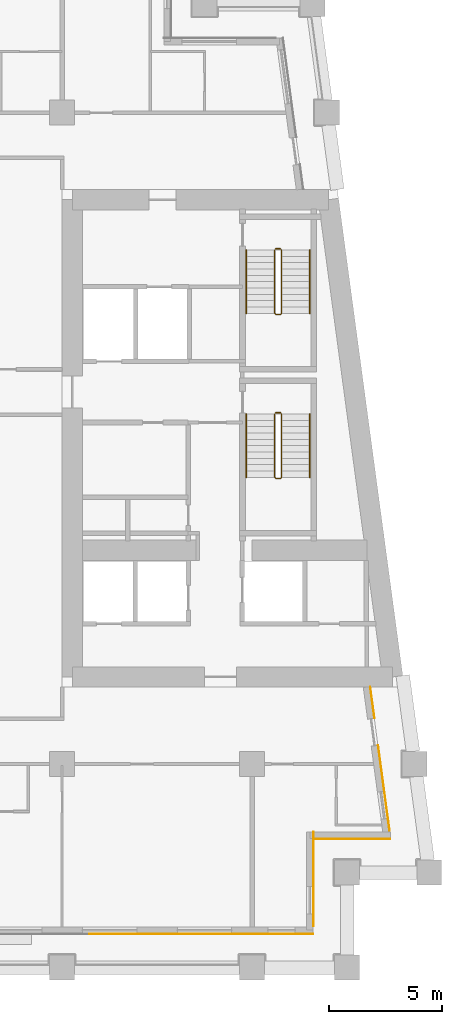
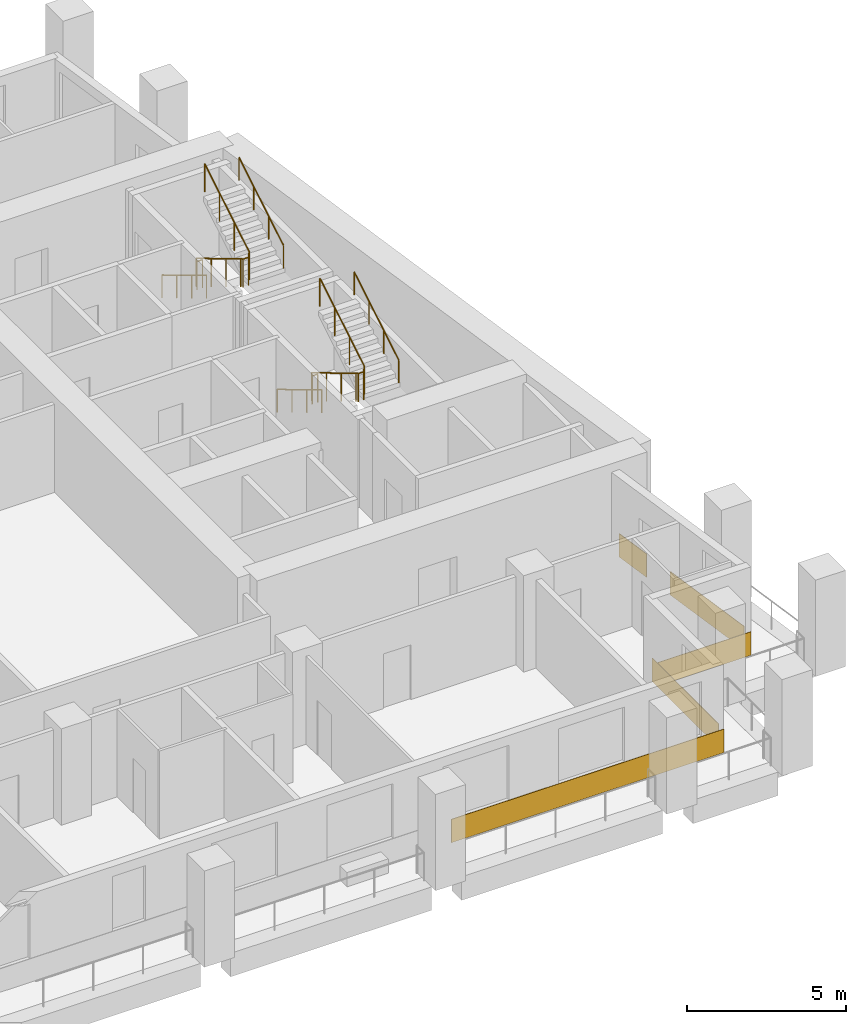
# One storey, part 10 of 12: 8 railings, 5 coverings.
"""IFC4 building model written with IfcOpenShell, lengths in metres."""

from ifc_helpers import new_model, si_unit, direction, frame, origin, origin_2d, place, context, subcontext, project, spatial, rectangle, circle, extrude, material, layer, layer_set, type_object, element, save


model = new_model("IFC4")

# Units and contexts
model_context = context("Model", 3, precision=1e-05, world=origin(), true_north=direction((0.0, 1.0)))
body_context = subcontext(model_context, "Body", "Model", "MODEL_VIEW")
ifc_project = project(units=[si_unit("LENGTHUNIT", "METRE"), si_unit("AREAUNIT", "SQUARE_METRE"), si_unit("VOLUMEUNIT", "CUBIC_METRE"), si_unit("PLANEANGLEUNIT", "RADIAN"), si_unit("MASSUNIT", "GRAM", prefix="KILO")], contexts=[model_context])

# Site, building, storey
site_placement = place(None, origin())
site = spatial("IfcSite", under=ifc_project, at=site_placement, CompositionType="ELEMENT")
building_placement = place(site_placement, origin())
building = spatial("IfcBuilding", under=site, at=building_placement, Name="Candeia Pilgrim Tower and Theatre", CompositionType="ELEMENT")
storey_placement = place(building_placement, frame((0.0, 0.0, 166.300048828125)))
storey = spatial("IfcBuildingStorey", under=building, at=storey_placement, Name="L39", CompositionType="ELEMENT", Elevation=166.300048828125)

# Coverings
ifc_material_1 = material(Name="Glazed ceramic tile rust")
ifc_layer = layer(ifc_material_1, 0.02001953125)
ifc_layer_set = layer_set([ifc_layer], Name="Glazed ceramic tile rust")
covering_type = type_object("IfcCoveringType", Name="Glazed ceramic tile rust", PredefinedType="CLADDING", material=ifc_layer_set)
covering_1_placement = place(storey_placement, frame((132.14990234375, 99.489990234375, 0.0), z_axis=(0.0, 0.0, 1.0), x_axis=(1.0, 0.0, 0.0)))
element("IfcCovering", 1, at=covering_1_placement, inside=storey, type_object=covering_type, Name="Tile cladding rust L39", PredefinedType="CLADDING", context=body_context, shape_type="SweptSolid", body=[
    extrude(rectangle(XDim=9.89990234375, YDim=0.02001953125, at=origin_2d()), origin(), (0.0, 0.0, 1.0), 0.89990234375),
])
covering_2_placement = place(storey_placement, frame((137.110107421875, 101.909912109375, 0.0), z_axis=(0.0, 0.0, 1.0), x_axis=(0.0, 1.0, 0.0)))
element("IfcCovering", 2, at=covering_2_placement, inside=storey, type_object=covering_type, Name="Tile cladding rust L39", PredefinedType="CLADDING", context=body_context, shape_type="SweptSolid", body=[
    extrude(rectangle(XDim=4.179931640625, YDim=0.02001953125, at=origin_2d()), origin(), (0.0, 0.0, 1.0), 0.89990234375),
])
covering_3_placement = place(storey_placement, frame((138.819580078125, 103.68994140625, 0.0), z_axis=(0.0, 0.0, 1.0), x_axis=(1.0, 0.0, 0.0)))
element("IfcCovering", 3, at=covering_3_placement, inside=storey, type_object=covering_type, Name="Tile cladding rust L39", PredefinedType="CLADDING", context=body_context, shape_type="SweptSolid", body=[
    extrude(rectangle(XDim=3.399169921875, YDim=0.02001953125, at=origin_2d()), origin(), (0.0, 0.0, 1.0), 0.89990234375),
])
covering_4_placement = place(storey_placement, frame((140.228515625, 105.933349609375, 0.0), z_axis=(0.0, 0.0, 1.0), x_axis=(-0.133412012145, 0.991060661622, 0.0)))
element("IfcCovering", 4, at=covering_4_placement, inside=storey, type_object=covering_type, Name="Tile cladding rust L39", PredefinedType="CLADDING", context=body_context, shape_type="SweptSolid", body=[
    extrude(rectangle(XDim=3.821044921875, YDim=0.02001953125, at=origin_2d()), origin(), (0.0, 0.0, 1.0), 0.89990234375),
])
covering_5_placement = place(storey_placement, frame((139.718994140625, 109.71875, 0.0), z_axis=(0.0, 0.0, 1.0), x_axis=(-0.133412012145, 0.991060661622, 0.0)))
element("IfcCovering", 5, at=covering_5_placement, inside=storey, type_object=covering_type, Name="Tile cladding rust L39", PredefinedType="CLADDING", context=body_context, shape_type="SweptSolid", body=[
    extrude(rectangle(XDim=1.41796875, YDim=0.02001953125, at=origin_2d()), origin(), (0.0, 0.0, 1.0), 0.89990234375),
])

# Railings
ifc_material_2 = material(Name="Stainless steel balustrade", Category="steel")
railing_type_1 = type_object("IfcRailingType", Name="RL-GUARD-1100", PredefinedType="GUARDRAIL", material=ifc_material_2)
railing_1_placement = place(storey_placement, frame((135.39794921875, 122.47509765625, 0.168212890625)))
element("IfcRailing", 6, at=railing_1_placement, inside=storey, type_object=railing_type_1, Name="L39 ST3 stair guard 1", PredefinedType="GUARDRAIL", context=body_context, shape_type="SweptSolid", body=[
    extrude(circle(Radius=0.02392578125, at=origin_2d()), frame((0.0, 0.0, 1.076171875), z_axis=(0.0, -0.857275202839, 0.514858452973), x_axis=(1.0, 0.0, 0.0)), (0.0, 0.0, 1.0), 3.26611328125),
    extrude(circle(Radius=0.02392578125, at=origin_2d()), frame((0.0, -2.800048828125, 2.7578125), z_axis=(0.707106781187, -0.707106781187, 0.0), x_axis=(0.707106781187, 0.707106781187, 0.0)), (0.0, 0.0, 1.0), 0.07080078125),
    extrude(circle(Radius=0.02392578125, at=origin_2d()), frame((0.050048828125, -2.85009765625, 2.7578125), z_axis=(1.0, 0.0, 0.0), x_axis=(0.0, 1.0, 0.0)), (0.0, 0.0, 1.0), 0.199951171875),
    extrude(circle(Radius=0.02392578125, at=origin_2d()), frame((0.25, -2.85009765625, 2.7578125), z_axis=(0.274243871929, 0.274243871929, 0.92172696468), x_axis=(-0.707106781187, 0.707106781187, 0.0)), (0.0, 0.0, 1.0), 0.1826171875),
    extrude(circle(Radius=0.02392578125, at=origin_2d()), frame((0.300048828125, -2.800048828125, 2.92578125), z_axis=(0.0, 0.857242210791, 0.514913383045), x_axis=(-1.0, 0.0, 0.0)), (0.0, 0.0, 1.0), 3.266357421875),
    extrude(circle(Radius=0.02099609375, at=origin_2d()), origin(), (0.0, 0.0, 1.0), 1.052001953125),
    extrude(circle(Radius=0.02099609375, at=origin_2d()), frame((0.0, -0.933349609375, 0.560546875)), (0.0, 0.0, 1.0), 1.052001953125),
    extrude(circle(Radius=0.02099609375, at=origin_2d()), frame((0.0, -1.86669921875, 1.12109375)), (0.0, 0.0, 1.0), 1.052001953125),
    extrude(circle(Radius=0.02099609375, at=origin_2d()), frame((0.0, -2.800048828125, 1.681640625)), (0.0, 0.0, 1.0), 1.052001953125),
    extrude(circle(Radius=0.02099609375, at=origin_2d()), frame((0.050048828125, -2.85009765625, 1.681640625)), (0.0, 0.0, 1.0), 1.052001953125),
    extrude(circle(Radius=0.02099609375, at=origin_2d()), frame((0.25, -2.85009765625, 1.681640625)), (0.0, 0.0, 1.0), 1.052001953125),
    extrude(circle(Radius=0.02099609375, at=origin_2d()), frame((0.300048828125, -2.800048828125, 1.849853515625)), (0.0, 0.0, 1.0), 1.052001953125),
    extrude(circle(Radius=0.02099609375, at=origin_2d()), frame((0.300048828125, -1.86669921875, 2.410400390625)), (0.0, 0.0, 1.0), 1.052001953125),
    extrude(circle(Radius=0.02099609375, at=origin_2d()), frame((0.300048828125, -0.933349609375, 2.97119140625)), (0.0, 0.0, 1.0), 1.052001953125),
    extrude(circle(Radius=0.02099609375, at=origin_2d()), frame((0.300048828125, 0.0, 3.53173828125)), (0.0, 0.0, 1.0), 1.052001953125),
])
railing_2_placement = place(storey_placement, frame((135.447998046875, 122.52490234375, 0.0)))
element("IfcRailing", 7, at=railing_2_placement, inside=storey, type_object=railing_type_1, Name="L39 ST3 stair guard 2", PredefinedType="GUARDRAIL", context=body_context, shape_type="SweptSolid", body=[
    extrude(circle(Radius=0.02392578125, at=origin_2d()), frame((0.0, 0.0, 1.076171875), z_axis=(1.0, 0.0, 0.0), x_axis=(0.0, 1.0, 0.0)), (0.0, 0.0, 1.0), 0.199951171875),
    extrude(circle(Radius=0.02099609375, at=origin_2d()), origin(), (0.0, 0.0, 1.0), 1.052001953125),
    extrude(circle(Radius=0.02099609375, at=origin_2d()), frame((0.199951171875, 0.0, 0.0)), (0.0, 0.0, 1.0), 1.052001953125),
])
railing_3_placement = place(storey_placement, frame((135.39794921875, 129.72509765625, 0.168212890625)))
element("IfcRailing", 8, at=railing_3_placement, inside=storey, type_object=railing_type_1, Name="L39 ST4 stair guard 1", PredefinedType="GUARDRAIL", context=body_context, shape_type="SweptSolid", body=[
    extrude(circle(Radius=0.02392578125, at=origin_2d()), frame((0.0, 0.0, 1.076171875), z_axis=(0.0, -0.857275202839, 0.514858452973), x_axis=(1.0, 0.0, 0.0)), (0.0, 0.0, 1.0), 3.26611328125),
    extrude(circle(Radius=0.02392578125, at=origin_2d()), frame((0.0, -2.800048828125, 2.7578125), z_axis=(0.707106781187, -0.707106781187, 0.0), x_axis=(0.707106781187, 0.707106781187, 0.0)), (0.0, 0.0, 1.0), 0.07080078125),
    extrude(circle(Radius=0.02392578125, at=origin_2d()), frame((0.050048828125, -2.85009765625, 2.7578125), z_axis=(1.0, 0.0, 0.0), x_axis=(0.0, 1.0, 0.0)), (0.0, 0.0, 1.0), 0.199951171875),
    extrude(circle(Radius=0.02392578125, at=origin_2d()), frame((0.25, -2.85009765625, 2.7578125), z_axis=(0.274243871929, 0.274243871929, 0.92172696468), x_axis=(-0.707106781187, 0.707106781187, 0.0)), (0.0, 0.0, 1.0), 0.1826171875),
    extrude(circle(Radius=0.02392578125, at=origin_2d()), frame((0.300048828125, -2.800048828125, 2.92578125), z_axis=(0.0, 0.857242210791, 0.514913383045), x_axis=(-1.0, 0.0, 0.0)), (0.0, 0.0, 1.0), 3.266357421875),
    extrude(circle(Radius=0.02099609375, at=origin_2d()), origin(), (0.0, 0.0, 1.0), 1.052001953125),
    extrude(circle(Radius=0.02099609375, at=origin_2d()), frame((0.0, -0.933349609375, 0.560546875)), (0.0, 0.0, 1.0), 1.052001953125),
    extrude(circle(Radius=0.02099609375, at=origin_2d()), frame((0.0, -1.86669921875, 1.12109375)), (0.0, 0.0, 1.0), 1.052001953125),
    extrude(circle(Radius=0.02099609375, at=origin_2d()), frame((0.0, -2.800048828125, 1.681640625)), (0.0, 0.0, 1.0), 1.052001953125),
    extrude(circle(Radius=0.02099609375, at=origin_2d()), frame((0.050048828125, -2.85009765625, 1.681640625)), (0.0, 0.0, 1.0), 1.052001953125),
    extrude(circle(Radius=0.02099609375, at=origin_2d()), frame((0.25, -2.85009765625, 1.681640625)), (0.0, 0.0, 1.0), 1.052001953125),
    extrude(circle(Radius=0.02099609375, at=origin_2d()), frame((0.300048828125, -2.800048828125, 1.849853515625)), (0.0, 0.0, 1.0), 1.052001953125),
    extrude(circle(Radius=0.02099609375, at=origin_2d()), frame((0.300048828125, -1.86669921875, 2.410400390625)), (0.0, 0.0, 1.0), 1.052001953125),
    extrude(circle(Radius=0.02099609375, at=origin_2d()), frame((0.300048828125, -0.933349609375, 2.97119140625)), (0.0, 0.0, 1.0), 1.052001953125),
    extrude(circle(Radius=0.02099609375, at=origin_2d()), frame((0.300048828125, 0.0, 3.53173828125)), (0.0, 0.0, 1.0), 1.052001953125),
])
railing_4_placement = place(storey_placement, frame((135.447998046875, 129.77490234375, 0.0)))
element("IfcRailing", 9, at=railing_4_placement, inside=storey, type_object=railing_type_1, Name="L39 ST4 stair guard 2", PredefinedType="GUARDRAIL", context=body_context, shape_type="SweptSolid", body=[
    extrude(circle(Radius=0.02392578125, at=origin_2d()), frame((0.0, 0.0, 1.076171875), z_axis=(1.0, 0.0, 0.0), x_axis=(0.0, 1.0, 0.0)), (0.0, 0.0, 1.0), 0.199951171875),
    extrude(circle(Radius=0.02099609375, at=origin_2d()), origin(), (0.0, 0.0, 1.0), 1.052001953125),
    extrude(circle(Radius=0.02099609375, at=origin_2d()), frame((0.199951171875, 0.0, 0.0)), (0.0, 0.0, 1.0), 1.052001953125),
])
ifc_material_3 = material(Name="Stainless steel handrail", Category="steel")
railing_type_2 = type_object("IfcRailingType", Name="RL-HANDRAIL-900", PredefinedType="HANDRAIL", material=ifc_material_3)
railing_5_placement = place(storey_placement, frame((134.14794921875, 122.47509765625, 0.168212890625)))
element("IfcRailing", 10, at=railing_5_placement, inside=storey, type_object=railing_type_2, Name="L39 ST3 stair handrail 1", PredefinedType="HANDRAIL", context=body_context, shape_type="SweptSolid", body=[
    extrude(circle(Radius=0.02392578125, at=origin_2d()), frame((0.0, 0.0, 0.8759765625), z_axis=(0.0, -0.857275202839, 0.514858452973), x_axis=(1.0, 0.0, 0.0)), (0.0, 0.0, 1.0), 3.26611328125),
    extrude(circle(Radius=0.02099609375, at=origin_2d()), origin(), (0.0, 0.0, 1.0), 0.851806640625),
    extrude(circle(Radius=0.02099609375, at=origin_2d()), frame((0.0, -0.933349609375, 0.560546875)), (0.0, 0.0, 1.0), 0.851806640625),
    extrude(circle(Radius=0.02099609375, at=origin_2d()), frame((0.0, -1.86669921875, 1.12109375)), (0.0, 0.0, 1.0), 0.851806640625),
    extrude(circle(Radius=0.02099609375, at=origin_2d()), frame((0.0, -2.800048828125, 1.681640625)), (0.0, 0.0, 1.0), 0.851806640625),
])
railing_6_placement = place(storey_placement, frame((136.947998046875, 119.675048828125, 2.01806640625)))
element("IfcRailing", 11, at=railing_6_placement, inside=storey, type_object=railing_type_2, Name="L39 ST3 stair handrail 2", PredefinedType="HANDRAIL", context=body_context, shape_type="SweptSolid", body=[
    extrude(circle(Radius=0.02392578125, at=origin_2d()), frame((0.0, 0.0, 0.8759765625), z_axis=(0.0, 0.857242210791, 0.514913383045), x_axis=(-1.0, 0.0, 0.0)), (0.0, 0.0, 1.0), 3.266357421875),
    extrude(circle(Radius=0.02099609375, at=origin_2d()), origin(), (0.0, 0.0, 1.0), 0.851806640625),
    extrude(circle(Radius=0.02099609375, at=origin_2d()), frame((0.0, 0.933349609375, 0.560546875)), (0.0, 0.0, 1.0), 0.851806640625),
    extrude(circle(Radius=0.02099609375, at=origin_2d()), frame((0.0, 1.86669921875, 1.121337890625)), (0.0, 0.0, 1.0), 0.851806640625),
    extrude(circle(Radius=0.02099609375, at=origin_2d()), frame((0.0, 2.800048828125, 1.681884765625)), (0.0, 0.0, 1.0), 0.851806640625),
])
railing_7_placement = place(storey_placement, frame((134.14794921875, 129.72509765625, 0.168212890625)))
element("IfcRailing", 12, at=railing_7_placement, inside=storey, type_object=railing_type_2, Name="L39 ST4 stair handrail 1", PredefinedType="HANDRAIL", context=body_context, shape_type="SweptSolid", body=[
    extrude(circle(Radius=0.02392578125, at=origin_2d()), frame((0.0, 0.0, 0.8759765625), z_axis=(0.0, -0.857275202839, 0.514858452973), x_axis=(1.0, 0.0, 0.0)), (0.0, 0.0, 1.0), 3.26611328125),
    extrude(circle(Radius=0.02099609375, at=origin_2d()), origin(), (0.0, 0.0, 1.0), 0.851806640625),
    extrude(circle(Radius=0.02099609375, at=origin_2d()), frame((0.0, -0.933349609375, 0.560546875)), (0.0, 0.0, 1.0), 0.851806640625),
    extrude(circle(Radius=0.02099609375, at=origin_2d()), frame((0.0, -1.86669921875, 1.12109375)), (0.0, 0.0, 1.0), 0.851806640625),
    extrude(circle(Radius=0.02099609375, at=origin_2d()), frame((0.0, -2.800048828125, 1.681640625)), (0.0, 0.0, 1.0), 0.851806640625),
])
railing_8_placement = place(storey_placement, frame((136.947998046875, 126.925048828125, 2.01806640625)))
element("IfcRailing", 13, at=railing_8_placement, inside=storey, type_object=railing_type_2, Name="L39 ST4 stair handrail 2", PredefinedType="HANDRAIL", context=body_context, shape_type="SweptSolid", body=[
    extrude(circle(Radius=0.02392578125, at=origin_2d()), frame((0.0, 0.0, 0.8759765625), z_axis=(0.0, 0.857242210791, 0.514913383045), x_axis=(-1.0, 0.0, 0.0)), (0.0, 0.0, 1.0), 3.266357421875),
    extrude(circle(Radius=0.02099609375, at=origin_2d()), origin(), (0.0, 0.0, 1.0), 0.851806640625),
    extrude(circle(Radius=0.02099609375, at=origin_2d()), frame((0.0, 0.933349609375, 0.560546875)), (0.0, 0.0, 1.0), 0.851806640625),
    extrude(circle(Radius=0.02099609375, at=origin_2d()), frame((0.0, 1.86669921875, 1.121337890625)), (0.0, 0.0, 1.0), 0.851806640625),
    extrude(circle(Radius=0.02099609375, at=origin_2d()), frame((0.0, 2.800048828125, 1.681884765625)), (0.0, 0.0, 1.0), 0.851806640625),
])

save(model, "model.ifc")
